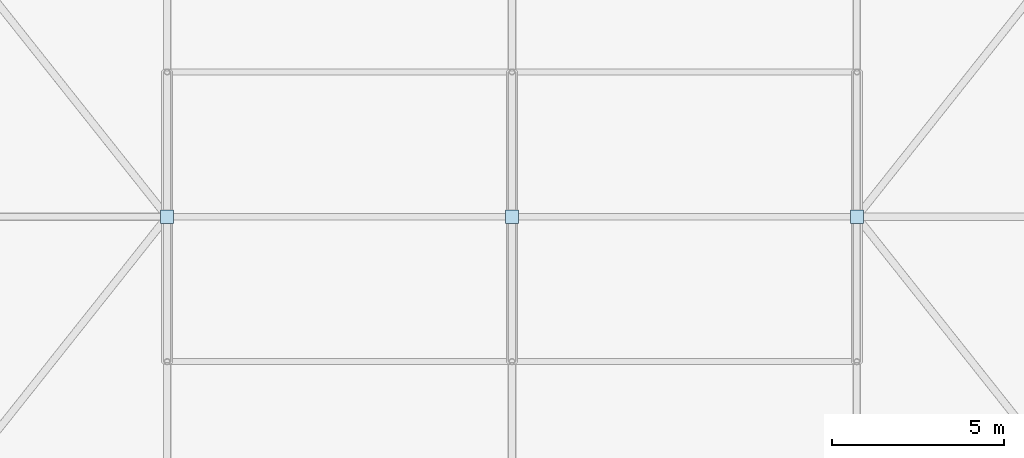
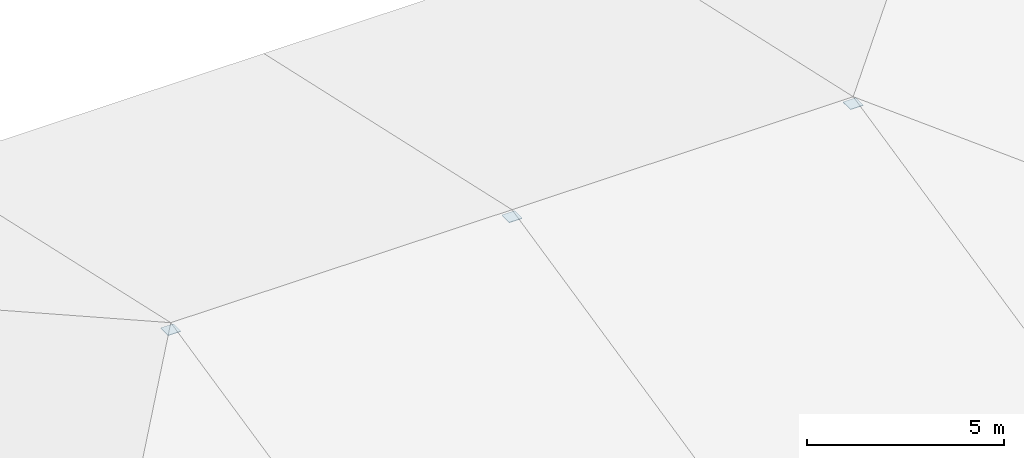
# One storey, part 90 of 93: 3 plates.
"""IFC4 building model written with IfcOpenShell, lengths in metres."""

from ifc_helpers import new_model, si_unit, derived_unit, direction, frame, origin, origin_2d_with_axis, place, context, subcontext, project, spatial, rectangle, extrude, material, layer, layer_set, type_object, element, save


model = new_model("IFC4")

# Units and contexts
model_context = context("Model", 3, precision=1e-05, world=origin(), true_north=direction((0.0, 1.0)))
body_context = subcontext(model_context, "Body", "Model", "MODEL_VIEW")
ifc_project = project(units=[si_unit("LENGTHUNIT", "METRE"), si_unit("AREAUNIT", "SQUARE_METRE"), si_unit("VOLUMEUNIT", "CUBIC_METRE"), si_unit("PLANEANGLEUNIT", "RADIAN"), si_unit("MASSUNIT", "GRAM", prefix="KILO"), derived_unit("THERMALTRANSMITTANCEUNIT", [(si_unit("POWERUNIT", "WATT"), 1), (si_unit("LENGTHUNIT", "METRE"), -2), (si_unit("THERMODYNAMICTEMPERATUREUNIT", "KELVIN"), -1)])], contexts=[model_context])

# Site, building, storey
site_placement = place(None, origin())
site = spatial("IfcSite", under=ifc_project, at=site_placement, CompositionType="ELEMENT")
building_placement = place(site_placement, origin())
building = spatial("IfcBuilding", under=site, at=building_placement, Name="Cinnabar Yard Market Hall", CompositionType="ELEMENT")
storey_placement = place(building_placement, frame((0.0, 0.0, 23.800048828125)))
storey = spatial("IfcBuildingStorey", under=building, at=storey_placement, Name="ROOF", CompositionType="ELEMENT", Elevation=23.800048828125)

# Plates
ifc_material = material(Name="Steel Grade 350 (350 MPa)", Category="steel")
ifc_layer = layer(ifc_material, 0.01611328125)
ifc_layer_set = layer_set([ifc_layer], Name="Steel Grade 350 (350 MPa)")
plate_type = type_object("IfcPlateType", Name="PL-NP11", PredefinedType="SHEET", material=ifc_layer_set)
for number, where, z_axis, x_axis, name in (
    (1, (106.0, 125.39990234375, -2.488037109375), (0.0, 0.0, 1.0), (1.0, 0.0, 0.0), "Belvedere Ridge Cap 106"),
    (2, (116.0, 125.39990234375, -2.488037109375), (0.0, 0.0, 1.0), (1.0, 0.0, 0.0), "Belvedere Ridge Cap 116"),
    (3, (126.0, 125.39990234375, -2.488037109375), (0.0, 0.0, 1.0), (1.0, 0.0, 0.0), "Belvedere Ridge Cap 126"),
):
    element("IfcPlate", number, at=place(storey_placement, frame(where, z_axis=z_axis, x_axis=x_axis)), inside=storey, type_object=plate_type, Name=name, PredefinedType="SHEET", context=body_context, shape_type="SweptSolid", body=[
        extrude(rectangle(XDim=0.3798828125, YDim=0.3798828125, at=origin_2d_with_axis()), origin(), (0.0, 0.0, 1.0), 0.01611328125),
    ])

save(model, "model.ifc")
